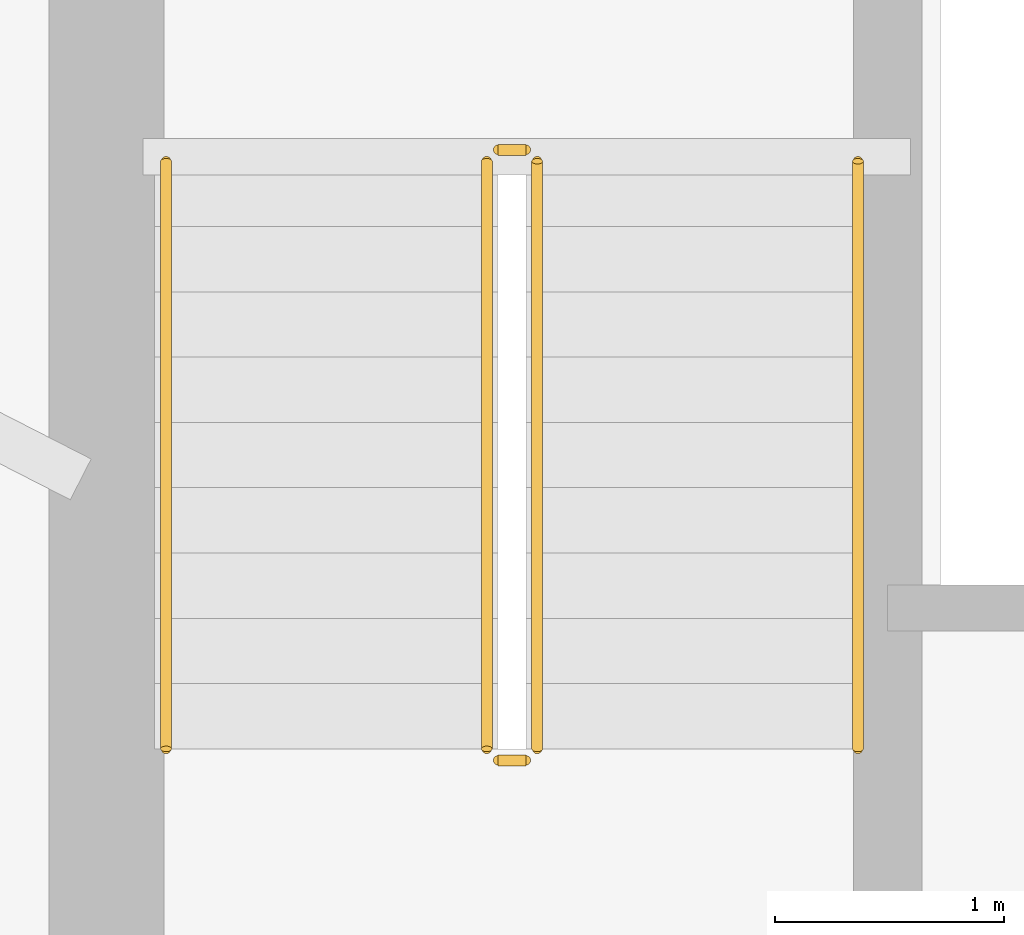
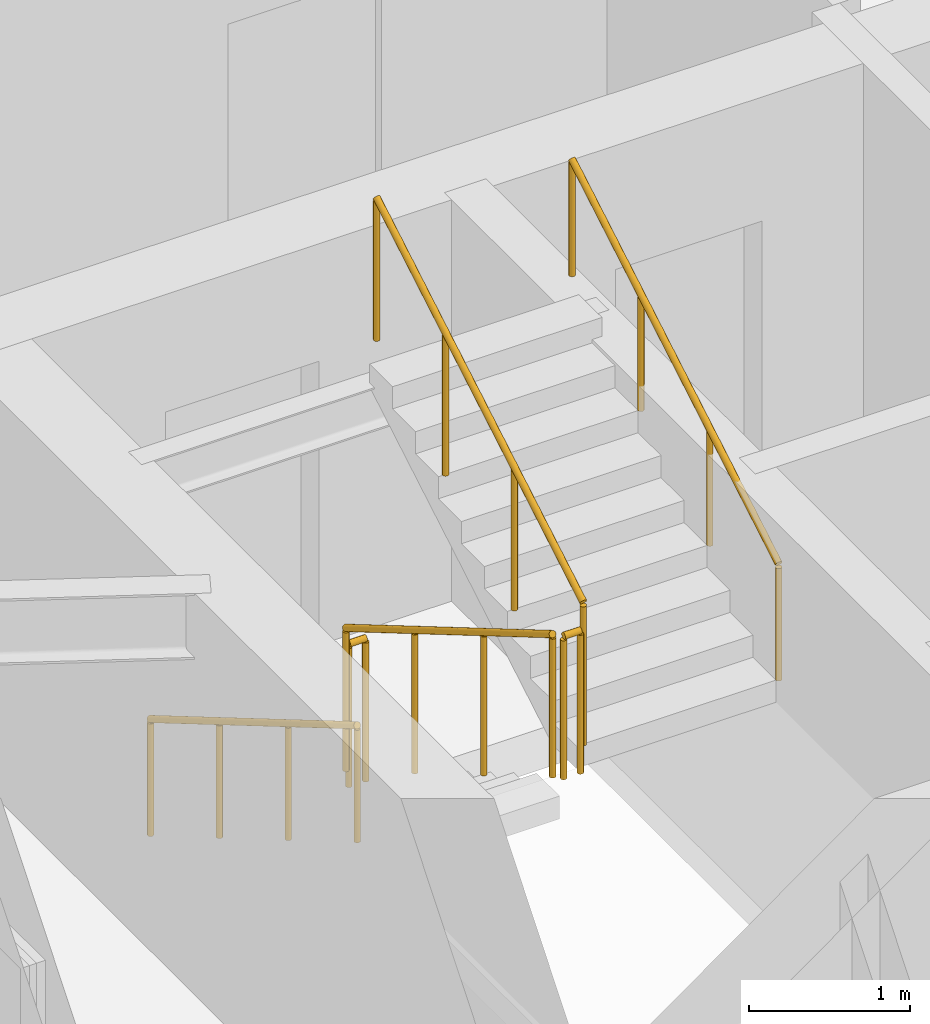
# One storey, part 16 of 17: 6 railings.
"""IFC4 building model written with IfcOpenShell, lengths in metres."""

from ifc_helpers import new_model, si_unit, direction, frame, origin, origin_2d, place, context, subcontext, project, spatial, circle, extrude, material, type_object, element, save


model = new_model("IFC4")

# Units and contexts
model_context = context("Model", 3, precision=1e-05, world=origin(), true_north=direction((0.0, 1.0)))
body_context = subcontext(model_context, "Body", "Model", "MODEL_VIEW")
ifc_project = project(units=[si_unit("LENGTHUNIT", "METRE"), si_unit("AREAUNIT", "SQUARE_METRE"), si_unit("VOLUMEUNIT", "CUBIC_METRE"), si_unit("PLANEANGLEUNIT", "RADIAN"), si_unit("MASSUNIT", "GRAM", prefix="KILO")], contexts=[model_context])

# Site, building, storey
site_placement = place(None, origin())
site = spatial("IfcSite", under=ifc_project, at=site_placement, CompositionType="ELEMENT")
building_placement = place(site_placement, origin())
building = spatial("IfcBuilding", under=site, at=building_placement, Name="Qobustan Lattice House", CompositionType="ELEMENT")
storey_placement = place(building_placement, frame((0.0, 0.0, 161.14990234375)))
storey = spatial("IfcBuildingStorey", under=building, at=storey_placement, Name="L45", CompositionType="ELEMENT", Elevation=161.14990234375)

# Railings
ifc_material_1 = material(Name="Brushed stainless steel handrail", Category="steel")
railing_type_1 = type_object("IfcRailingType", Name="RAL-HR-920", PredefinedType="HANDRAIL", material=ifc_material_1)
railing_1_placement = place(storey_placement, frame((-18.199951171875, 3.5, 0.16748046875)))
element("IfcRailing", 1, at=railing_1_placement, inside=storey, type_object=railing_type_1, Name="L45 ST-W1 stair handrail 1", PredefinedType="HANDRAIL", context=body_context, shape_type="SweptSolid", body=[
    extrude(circle(Radius=0.02392578125, at=origin_2d()), frame((0.0, 0.0, 0.8759765625), z_axis=(0.0, -0.862113467892, 0.50671527358), x_axis=(1.0, 0.0, 0.0)), (0.0, 0.0, 1.0), 2.97509765625),
    extrude(circle(Radius=0.02099609375, at=origin_2d()), origin(), (0.0, 0.0, 1.0), 0.851806640625),
    extrude(circle(Radius=0.02099609375, at=origin_2d()), frame((0.0, -0.85498046875, 0.50244140625)), (0.0, 0.0, 1.0), 0.851806640625),
    extrude(circle(Radius=0.02099609375, at=origin_2d()), frame((0.0, -1.7099609375, 1.005126953125)), (0.0, 0.0, 1.0), 0.851806640625),
    extrude(circle(Radius=0.02099609375, at=origin_2d()), frame((0.0, -2.56494140625, 1.507568359375)), (0.0, 0.0, 1.0), 0.851806640625),
])
railing_2_placement = place(storey_placement, frame((-15.179931640625, 0.93505859375, 1.842529296875)))
element("IfcRailing", 2, at=railing_2_placement, inside=storey, type_object=railing_type_1, Name="L45 ST-W1 stair handrail 2", PredefinedType="HANDRAIL", context=body_context, shape_type="SweptSolid", body=[
    extrude(circle(Radius=0.02392578125, at=origin_2d()), frame((0.0, 0.0, 0.8759765625), z_axis=(0.0, 0.862113467892, 0.50671527358), x_axis=(-1.0, 0.0, 0.0)), (0.0, 0.0, 1.0), 2.97509765625),
    extrude(circle(Radius=0.02099609375, at=origin_2d()), origin(), (0.0, 0.0, 1.0), 0.851806640625),
    extrude(circle(Radius=0.02099609375, at=origin_2d()), frame((0.0, 0.85498046875, 0.50244140625)), (0.0, 0.0, 1.0), 0.851806640625),
    extrude(circle(Radius=0.02099609375, at=origin_2d()), frame((0.0, 1.7099609375, 1.005126953125)), (0.0, 0.0, 1.0), 0.851806640625),
    extrude(circle(Radius=0.02099609375, at=origin_2d()), frame((0.0, 2.56494140625, 1.507568359375)), (0.0, 0.0, 1.0), 0.851806640625),
])
ifc_material_2 = material(Name="Painted galvanized steel guardrail", Category="steel")
railing_type_2 = type_object("IfcRailingType", Name="RAL-STG-1150", PredefinedType="GUARDRAIL", material=ifc_material_2)
railing_3_placement = place(storey_placement, frame((-16.800048828125, 3.5, 0.16748046875)))
element("IfcRailing", 3, at=railing_3_placement, inside=storey, type_object=railing_type_2, Name="L45 ST-W1 stair guard 1", PredefinedType="GUARDRAIL", context=body_context, shape_type="SweptSolid", body=[
    extrude(circle(Radius=0.02392578125, at=origin_2d()), frame((0.0, 0.0, 1.076171875), z_axis=(0.0, -0.862113467892, 0.50671527358), x_axis=(1.0, 0.0, 0.0)), (0.0, 0.0, 1.0), 2.97509765625),
    extrude(circle(Radius=0.02099609375, at=origin_2d()), origin(), (0.0, 0.0, 1.0), 1.052001953125),
    extrude(circle(Radius=0.02099609375, at=origin_2d()), frame((0.0, -0.85498046875, 0.50244140625)), (0.0, 0.0, 1.0), 1.052001953125),
    extrude(circle(Radius=0.02099609375, at=origin_2d()), frame((0.0, -1.7099609375, 1.005126953125)), (0.0, 0.0, 1.0), 1.052001953125),
    extrude(circle(Radius=0.02099609375, at=origin_2d()), frame((0.0, -2.56494140625, 1.507568359375)), (0.0, 0.0, 1.0), 1.052001953125),
])
railing_4_placement = place(storey_placement, frame((-16.75, 0.885009765625, 1.675048828125)))
element("IfcRailing", 4, at=railing_4_placement, inside=storey, type_object=railing_type_2, Name="L45 ST-W1 stair guard 2", PredefinedType="GUARDRAIL", context=body_context, shape_type="SweptSolid", body=[
    extrude(circle(Radius=0.02392578125, at=origin_2d()), frame((0.0, 0.0, 1.076171875), z_axis=(1.0, 0.0, 0.0), x_axis=(0.0, 1.0, 0.0)), (0.0, 0.0, 1.0), 0.1201171875),
    extrude(circle(Radius=0.02099609375, at=origin_2d()), origin(), (0.0, 0.0, 1.0), 1.052001953125),
    extrude(circle(Radius=0.02099609375, at=origin_2d()), frame((0.1201171875, 0.0, 0.0)), (0.0, 0.0, 1.0), 1.052001953125),
])
railing_5_placement = place(storey_placement, frame((-16.580078125, 0.93505859375, 1.842529296875)))
element("IfcRailing", 5, at=railing_5_placement, inside=storey, type_object=railing_type_2, Name="L45 ST-W1 stair guard 3", PredefinedType="GUARDRAIL", context=body_context, shape_type="SweptSolid", body=[
    extrude(circle(Radius=0.02392578125, at=origin_2d()), frame((0.0, 0.0, 1.076171875), z_axis=(0.0, 0.862113467892, 0.50671527358), x_axis=(-1.0, 0.0, 0.0)), (0.0, 0.0, 1.0), 2.97509765625),
    extrude(circle(Radius=0.02099609375, at=origin_2d()), origin(), (0.0, 0.0, 1.0), 1.052001953125),
    extrude(circle(Radius=0.02099609375, at=origin_2d()), frame((0.0, 0.85498046875, 0.50244140625)), (0.0, 0.0, 1.0), 1.052001953125),
    extrude(circle(Radius=0.02099609375, at=origin_2d()), frame((0.0, 1.7099609375, 1.005126953125)), (0.0, 0.0, 1.0), 1.052001953125),
    extrude(circle(Radius=0.02099609375, at=origin_2d()), frame((0.0, 2.56494140625, 1.507568359375)), (0.0, 0.0, 1.0), 1.052001953125),
])
railing_6_placement = place(storey_placement, frame((-16.75, 3.550048828125, 0.0)))
element("IfcRailing", 6, at=railing_6_placement, inside=storey, type_object=railing_type_2, Name="L45 ST-W1 stair guard 4", PredefinedType="GUARDRAIL", context=body_context, shape_type="SweptSolid", body=[
    extrude(circle(Radius=0.02392578125, at=origin_2d()), frame((0.0, 0.0, 1.076171875), z_axis=(1.0, 0.0, 0.0), x_axis=(0.0, 1.0, 0.0)), (0.0, 0.0, 1.0), 0.1201171875),
    extrude(circle(Radius=0.02099609375, at=origin_2d()), origin(), (0.0, 0.0, 1.0), 1.052001953125),
    extrude(circle(Radius=0.02099609375, at=origin_2d()), frame((0.1201171875, 0.0, 0.0)), (0.0, 0.0, 1.0), 1.052001953125),
])

save(model, "model.ifc")
